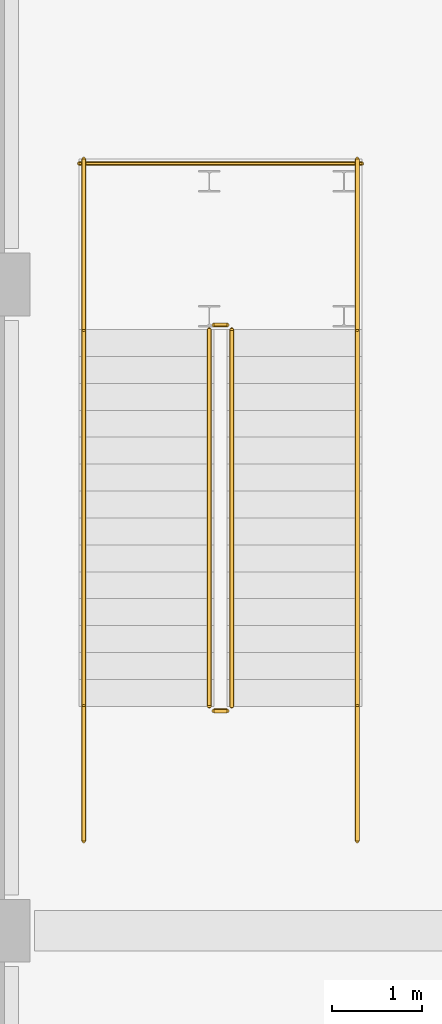
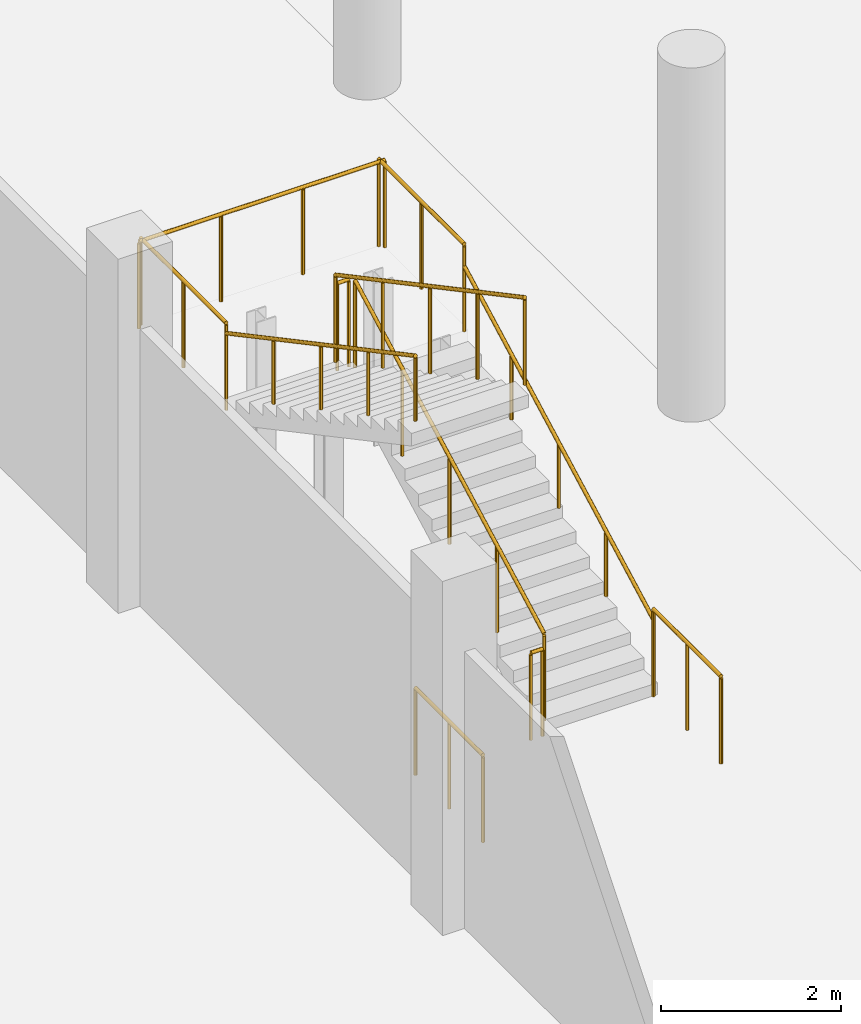
# One storey, part 49 of 59: 11 railings.
"""IFC4 building model written with IfcOpenShell, lengths in metres."""

from ifc_helpers import new_model, si_unit, direction, frame, origin, origin_2d, place, context, subcontext, project, spatial, circle, extrude, material, type_object, element, save


model = new_model("IFC4")

# Units and contexts
model_context = context("Model", 3, precision=1e-05, world=origin(), true_north=direction((0.0, 1.0)))
body_context = subcontext(model_context, "Body", "Model", "MODEL_VIEW")
ifc_project = project(units=[si_unit("LENGTHUNIT", "METRE"), si_unit("AREAUNIT", "SQUARE_METRE"), si_unit("VOLUMEUNIT", "CUBIC_METRE"), si_unit("PLANEANGLEUNIT", "RADIAN"), si_unit("MASSUNIT", "GRAM", prefix="KILO")], contexts=[model_context])

# Site, building, storey
site_placement = place(None, origin())
site = spatial("IfcSite", under=ifc_project, at=site_placement, CompositionType="ELEMENT")
building_placement = place(site_placement, origin())
building = spatial("IfcBuilding", under=site, at=building_placement, Name="Valkovuoma Quantum and Materials Research Institute", CompositionType="ELEMENT")
storey_placement = place(building_placement, origin())
storey = spatial("IfcBuildingStorey", under=building, at=storey_placement, Name="L00", CompositionType="ELEMENT", Elevation=0.0)

# Railings
ifc_material_1 = material(Name="Painted steel stair balustrade", Category="steel")
railing_type_1 = type_object("IfcRailingType", Name="Rail-GRD-ST", PredefinedType="BALUSTRADE", material=ifc_material_1)
railing_1_placement = place(storey_placement, frame((38.60009765625, 45.699951171875, 0.159912109375)))
element("IfcRailing", 1, at=railing_1_placement, inside=storey, type_object=railing_type_1, Name="L00 ST-5 stair guard 1", PredefinedType="BALUSTRADE", context=body_context, shape_type="SweptSolid", body=[
    extrude(circle(Radius=0.02392578125, at=origin_2d()), frame((0.0, 0.0, 1.17578125), z_axis=(0.0, 0.882351521365, 0.470590897432), x_axis=(-1.0, 0.0, 0.0)), (0.0, 0.0, 1.0), 4.760009765625),
    extrude(circle(Radius=0.02099609375, at=origin_2d()), origin(), (0.0, 0.0, 1.0), 1.15185546875),
    extrude(circle(Radius=0.02099609375, at=origin_2d()), frame((0.0, 1.050048828125, 0.56005859375)), (0.0, 0.0, 1.0), 1.15185546875),
    extrude(circle(Radius=0.02099609375, at=origin_2d()), frame((0.0, 2.10009765625, 1.1201171875)), (0.0, 0.0, 1.0), 1.15185546875),
    extrude(circle(Radius=0.02099609375, at=origin_2d()), frame((0.0, 3.14990234375, 1.679931640625)), (0.0, 0.0, 1.0), 1.15185546875),
    extrude(circle(Radius=0.02099609375, at=origin_2d()), frame((0.0, 4.199951171875, 2.239990234375)), (0.0, 0.0, 1.0), 1.15185546875),
])
railing_2_placement = place(storey_placement, frame((38.550048828125, 49.949951171875, 2.39990234375)))
element("IfcRailing", 2, at=railing_2_placement, inside=storey, type_object=railing_type_1, Name="L00 ST-5 stair guard 2", PredefinedType="BALUSTRADE", context=body_context, shape_type="SweptSolid", body=[
    extrude(circle(Radius=0.02392578125, at=origin_2d()), frame((0.0, 0.0, 1.17578125), z_axis=(-1.0, 0.0, 0.0), x_axis=(0.0, -1.0, 0.0)), (0.0, 0.0, 1.0), 0.150146484375),
    extrude(circle(Radius=0.02099609375, at=origin_2d()), origin(), (0.0, 0.0, 1.0), 1.15185546875),
    extrude(circle(Radius=0.02099609375, at=origin_2d()), frame((-0.150146484375, 0.0, 0.0)), (0.0, 0.0, 1.0), 1.15185546875),
])
for number, where, name in (
    (3, (40.0, 49.89990234375, 2.39990234375), "L00 ST-5 stair guard 3"),
    (4, (36.949951171875, 49.89990234375, 2.39990234375), "L00 ST-5 stair guard 4"),
):
    element("IfcRailing", number, at=place(storey_placement, frame(where)), inside=storey, type_object=railing_type_1, Name=name, PredefinedType="BALUSTRADE", context=body_context, shape_type="SweptSolid", body=[
        extrude(circle(Radius=0.02392578125, at=origin_2d()), frame((0.0, 0.0, 1.17578125), z_axis=(0.0, 1.0, 0.0), x_axis=(-1.0, 0.0, 0.0)), (0.0, 0.0, 1.0), 1.900146484375),
        extrude(circle(Radius=0.02099609375, at=origin_2d()), origin(), (0.0, 0.0, 1.0), 1.15185546875),
        extrude(circle(Radius=0.02099609375, at=origin_2d()), frame((0.0, 0.9501953125, 0.0)), (0.0, 0.0, 1.0), 1.15185546875),
        extrude(circle(Radius=0.02099609375, at=origin_2d()), frame((0.0, 1.900146484375, 0.0)), (0.0, 0.0, 1.0), 1.15185546875),
    ])
railing_3_placement = place(storey_placement, frame((40.050048828125, 51.75, 2.39990234375)))
element("IfcRailing", 5, at=railing_3_placement, inside=storey, type_object=railing_type_1, Name="L00 ST-5 stair guard 5", PredefinedType="BALUSTRADE", context=body_context, shape_type="SweptSolid", body=[
    extrude(circle(Radius=0.02392578125, at=origin_2d()), frame((0.0, 0.0, 1.17578125), z_axis=(-1.0, 0.0, 0.0), x_axis=(0.0, -1.0, 0.0)), (0.0, 0.0, 1.0), 3.150146484375),
    extrude(circle(Radius=0.02099609375, at=origin_2d()), origin(), (0.0, 0.0, 1.0), 1.15185546875),
    extrude(circle(Radius=0.02099609375, at=origin_2d()), frame((-1.050048828125, 0.0, 0.0)), (0.0, 0.0, 1.0), 1.15185546875),
    extrude(circle(Radius=0.02099609375, at=origin_2d()), frame((-2.10009765625, 0.0, 0.0)), (0.0, 0.0, 1.0), 1.15185546875),
    extrude(circle(Radius=0.02099609375, at=origin_2d()), frame((-3.150146484375, 0.0, 0.0)), (0.0, 0.0, 1.0), 1.15185546875),
])
railing_4_placement = place(storey_placement, frame((38.35009765625, 49.89990234375, 2.56005859375)))
element("IfcRailing", 6, at=railing_4_placement, inside=storey, type_object=railing_type_1, Name="L00 ST-5 stair guard 6", PredefinedType="BALUSTRADE", context=body_context, shape_type="SweptSolid", body=[
    extrude(circle(Radius=0.02392578125, at=origin_2d()), frame((0.0, 0.0, 1.17578125), z_axis=(0.0, -0.882351521365, 0.470590897432), x_axis=(1.0, 0.0, 0.0)), (0.0, 0.0, 1.0), 4.760009765625),
    extrude(circle(Radius=0.02099609375, at=origin_2d()), origin(), (0.0, 0.0, 1.0), 1.15185546875),
    extrude(circle(Radius=0.02099609375, at=origin_2d()), frame((0.0, -1.050048828125, 0.56005859375)), (0.0, 0.0, 1.0), 1.15185546875),
    extrude(circle(Radius=0.02099609375, at=origin_2d()), frame((0.0, -2.10009765625, 1.1201171875)), (0.0, 0.0, 1.0), 1.15185546875),
    extrude(circle(Radius=0.02099609375, at=origin_2d()), frame((0.0, -3.14990234375, 1.679931640625)), (0.0, 0.0, 1.0), 1.15185546875),
    extrude(circle(Radius=0.02099609375, at=origin_2d()), frame((0.0, -4.199951171875, 2.239990234375)), (0.0, 0.0, 1.0), 1.15185546875),
])
railing_5_placement = place(storey_placement, frame((38.550048828125, 45.64990234375, 0.0)))
element("IfcRailing", 7, at=railing_5_placement, inside=storey, type_object=railing_type_1, Name="L00 ST-5 stair guard 7", PredefinedType="BALUSTRADE", context=body_context, shape_type="SweptSolid", body=[
    extrude(circle(Radius=0.02392578125, at=origin_2d()), frame((0.0, 0.0, 1.17578125), z_axis=(-1.0, 0.0, 0.0), x_axis=(0.0, -1.0, 0.0)), (0.0, 0.0, 1.0), 0.150146484375),
    extrude(circle(Radius=0.02099609375, at=origin_2d()), origin(), (0.0, 0.0, 1.0), 1.15185546875),
    extrude(circle(Radius=0.02099609375, at=origin_2d()), frame((-0.150146484375, 0.0, 0.0)), (0.0, 0.0, 1.0), 1.15185546875),
])
for number, where, name in (
    (8, (40.0, 44.199951171875, 0.0), "L00 ST-5 stair guard 8"),
    (9, (36.949951171875, 44.199951171875, 0.0), "L00 ST-5 stair guard 9"),
):
    element("IfcRailing", number, at=place(storey_placement, frame(where)), inside=storey, type_object=railing_type_1, Name=name, PredefinedType="BALUSTRADE", context=body_context, shape_type="SweptSolid", body=[
        extrude(circle(Radius=0.02392578125, at=origin_2d()), frame((0.0, 0.0, 1.17578125), z_axis=(0.0, 1.0, 0.0), x_axis=(-1.0, 0.0, 0.0)), (0.0, 0.0, 1.0), 1.5),
        extrude(circle(Radius=0.02099609375, at=origin_2d()), origin(), (0.0, 0.0, 1.0), 1.15185546875),
        extrude(circle(Radius=0.02099609375, at=origin_2d()), frame((0.0, 0.75, 0.0)), (0.0, 0.0, 1.0), 1.15185546875),
        extrude(circle(Radius=0.02099609375, at=origin_2d()), frame((0.0, 1.5, 0.0)), (0.0, 0.0, 1.0), 1.15185546875),
    ])
ifc_material_2 = material(Name="Brushed stainless steel handrail", Category="steel")
railing_type_2 = type_object("IfcRailingType", Name="Rail-HR-ST", PredefinedType="HANDRAIL", material=ifc_material_2)
railing_6_placement = place(storey_placement, frame((40.0, 45.699951171875, 0.159912109375)))
element("IfcRailing", 10, at=railing_6_placement, inside=storey, type_object=railing_type_2, Name="L00 ST-5 stair handrail 1", PredefinedType="HANDRAIL", context=body_context, shape_type="SweptSolid", body=[
    extrude(circle(Radius=0.02392578125, at=origin_2d()), frame((0.0, 0.0, 0.8759765625), z_axis=(0.0, 0.882351521365, 0.470590897432), x_axis=(-1.0, 0.0, 0.0)), (0.0, 0.0, 1.0), 4.760009765625),
    extrude(circle(Radius=0.02099609375, at=origin_2d()), origin(), (0.0, 0.0, 1.0), 0.851806640625),
    extrude(circle(Radius=0.02099609375, at=origin_2d()), frame((0.0, 1.050048828125, 0.56005859375)), (0.0, 0.0, 1.0), 0.851806640625),
    extrude(circle(Radius=0.02099609375, at=origin_2d()), frame((0.0, 2.10009765625, 1.1201171875)), (0.0, 0.0, 1.0), 0.851806640625),
    extrude(circle(Radius=0.02099609375, at=origin_2d()), frame((0.0, 3.14990234375, 1.679931640625)), (0.0, 0.0, 1.0), 0.851806640625),
    extrude(circle(Radius=0.02099609375, at=origin_2d()), frame((0.0, 4.199951171875, 2.239990234375)), (0.0, 0.0, 1.0), 0.851806640625),
])
railing_7_placement = place(storey_placement, frame((36.949951171875, 49.89990234375, 2.56005859375)))
element("IfcRailing", 11, at=railing_7_placement, inside=storey, type_object=railing_type_2, Name="L00 ST-5 stair handrail 2", PredefinedType="HANDRAIL", context=body_context, shape_type="SweptSolid", body=[
    extrude(circle(Radius=0.02392578125, at=origin_2d()), frame((0.0, 0.0, 0.8759765625), z_axis=(0.0, -0.882351521365, 0.470590897432), x_axis=(1.0, 0.0, 0.0)), (0.0, 0.0, 1.0), 4.760009765625),
    extrude(circle(Radius=0.02099609375, at=origin_2d()), origin(), (0.0, 0.0, 1.0), 0.851806640625),
    extrude(circle(Radius=0.02099609375, at=origin_2d()), frame((0.0, -1.050048828125, 0.56005859375)), (0.0, 0.0, 1.0), 0.851806640625),
    extrude(circle(Radius=0.02099609375, at=origin_2d()), frame((0.0, -2.10009765625, 1.1201171875)), (0.0, 0.0, 1.0), 0.851806640625),
    extrude(circle(Radius=0.02099609375, at=origin_2d()), frame((0.0, -3.14990234375, 1.679931640625)), (0.0, 0.0, 1.0), 0.851806640625),
    extrude(circle(Radius=0.02099609375, at=origin_2d()), frame((0.0, -4.199951171875, 2.239990234375)), (0.0, 0.0, 1.0), 0.851806640625),
])

save(model, "model.ifc")
